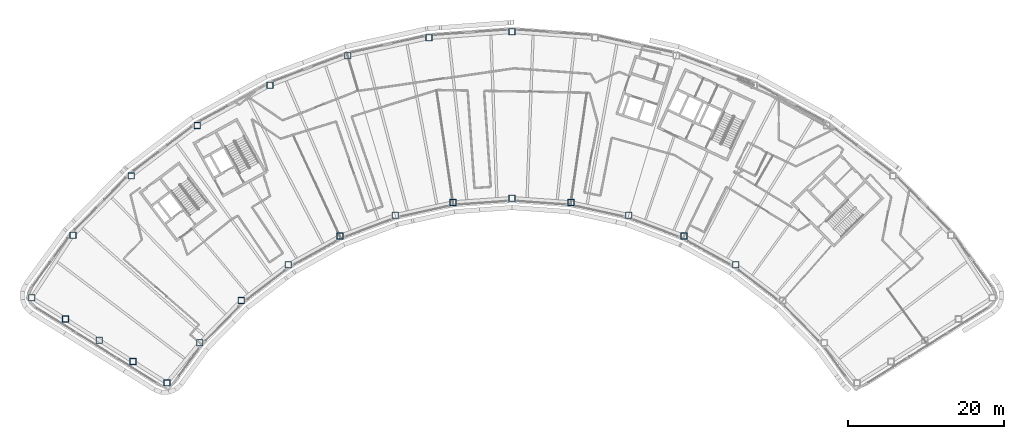
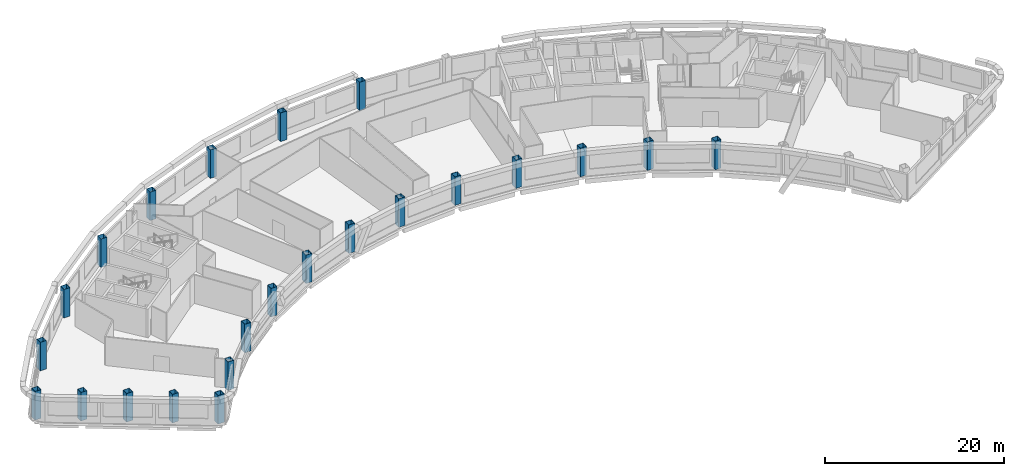
# One storey, part 1 of 13: 23 columns.
"""IFC4 building model written with IfcOpenShell, lengths in metres."""

from ifc_helpers import new_model, si_unit, direction, frame, origin, origin_2d, place, context, subcontext, project, spatial, hollow_rectangle, extrude, material, material_profile, profile_set, type_object, element, save


model = new_model("IFC4")

# Units and contexts
model_context = context("Model", 3, precision=1e-05, world=origin(), true_north=direction((0.0, 1.0)))
body_context = subcontext(model_context, "Body", "Model", "MODEL_VIEW")
ifc_project = project(units=[si_unit("LENGTHUNIT", "METRE"), si_unit("AREAUNIT", "SQUARE_METRE"), si_unit("VOLUMEUNIT", "CUBIC_METRE"), si_unit("PLANEANGLEUNIT", "RADIAN"), si_unit("MASSUNIT", "GRAM", prefix="KILO")], contexts=[model_context])

# Site, building, storey
site_placement = place(None, origin())
site = spatial("IfcSite", under=ifc_project, at=site_placement, CompositionType="ELEMENT")
building_placement = place(site_placement, origin())
building = spatial("IfcBuilding", under=site, at=building_placement, Name="Tuul Gate Civic Tower", CompositionType="ELEMENT")
storey_placement = place(building_placement, frame((0.0, 0.0, 306.800048828125)))
storey = spatial("IfcBuildingStorey", under=building, at=storey_placement, Name="Level 69", CompositionType="ELEMENT", Elevation=306.800048828125)

# Columns
ifc_material = material(Name="Steel S355", Category="steel")
ifc_material_profile = material_profile(ifc_material, hollow_rectangle(XDim=0.800048828125, YDim=0.800048828125, WallThickness=0.031982421875, at=origin_2d()), Name="BOX800x800x32")
ifc_profile_set = profile_set([ifc_material_profile], Name="Steel S355")
column_type = type_object("IfcColumnType", Name="STR-COLUMN-BOX800x800x32", PredefinedType="COLUMN", material=ifc_profile_set)
for number, where, z_axis, x_axis, name in (
    (1, (6.7880859375, 9.23193359375, 0.0), (0.0, 0.0, 1.0), (1.0, 0.0, 0.0), "Column"),
    (2, (-3.861083984375, 8.4599609375, 0.0), (0.0, 0.0, 1.0), (1.0, 0.0, 0.0), "Column"),
    (3, (-14.2880859375, 6.162109375, 0.0), (0.0, 0.0, 1.0), (1.0, 0.0, 0.0), "Column"),
    (4, (-24.27587890625, 2.385009765625, 0.0), (0.0, 0.0, 1.0), (1.0, 0.0, 0.0), "Column"),
    (5, (-33.614013671875, -2.791015625, 0.0), (0.0, 0.0, 1.0), (1.0, 0.0, 0.0), "Column"),
    (6, (-42.10888671875, -9.259033203125, 0.0), (0.0, 0.0, 1.0), (1.0, 0.0, 0.0), "Column"),
    (7, (-49.583984375, -16.884033203125, 0.0), (0.0, 0.0, 1.0), (1.0, 0.0, 0.0), "Column"),
    (8, (-54.883056640625, -24.89697265625, 0.0), (0.0, 0.0, 1.0), (1.0, 0.0, 0.0), "Column"),
    (9, (-50.5400390625, -27.631103515625, 0.0), (0.0, 0.0, 1.0), (1.0, 0.0, 0.0), "Column"),
    (10, (-46.197998046875, -30.365966796875, 0.0), (0.0, 0.0, 1.0), (1.0, 0.0, 0.0), "Column"),
    (11, (-41.85498046875, -33.10009765625, 0.0), (0.0, 0.0, 1.0), (1.0, 0.0, 0.0), "Column"),
    (12, (-37.512939453125, -35.8349609375, 0.0), (0.0, 0.0, 1.0), (1.0, 0.0, 0.0), "Column"),
    (13, (-33.29296875, -30.693115234375, 0.0), (0.0, 0.0, 1.0), (1.0, 0.0, 0.0), "Column"),
    (14, (-27.97900390625, -25.27099609375, 0.0), (0.0, 0.0, 1.0), (1.0, 0.0, 0.0), "Column"),
    (15, (-21.93798828125, -20.672119140625, 0.0), (0.0, 0.0, 1.0), (1.0, 0.0, 0.0), "Column"),
    (16, (-15.298095703125, -16.991943359375, 0.0), (0.0, 0.0, 1.0), (1.0, 0.0, 0.0), "Column"),
    (17, (-8.197998046875, -14.306884765625, 0.0), (0.0, 0.0, 1.0), (1.0, 0.0, 0.0), "Column"),
    (18, (-0.783935546875, -12.673095703125, 0.0), (0.0, 0.0, 1.0), (1.0, 0.0, 0.0), "Column"),
    (19, (6.7880859375, -12.1240234375, 0.0), (0.0, 0.0, 1.0), (1.0, 0.0, 0.0), "Column"),
    (20, (14.360107421875, -12.673095703125, 0.0), (0.0, 0.0, 1.0), (1.0, 0.0, 0.0), "Column"),
    (21, (21.77392578125, -14.306884765625, 0.0), (0.0, 0.0, 1.0), (1.0, 0.0, 0.0), "Column"),
    (22, (28.875, -16.991943359375, 0.0), (0.0, 0.0, 1.0), (1.0, 0.0, 0.0), "Column"),
    (23, (35.514892578125, -20.672119140625, 0.0), (0.0, 0.0, 1.0), (1.0, 0.0, 0.0), "Column"),
):
    element("IfcColumn", number, at=place(storey_placement, frame(where, z_axis=z_axis, x_axis=x_axis)), inside=storey, type_object=column_type, Name=name, PredefinedType="COLUMN", context=body_context, shape_type="SweptSolid", body=[
        extrude(hollow_rectangle(XDim=0.800048828125, YDim=0.800048828125, WallThickness=0.031982421875, at=origin_2d()), origin(), (0.0, 0.0, 1.0), 3.89990234375),
    ])

save(model, "model.ifc")
